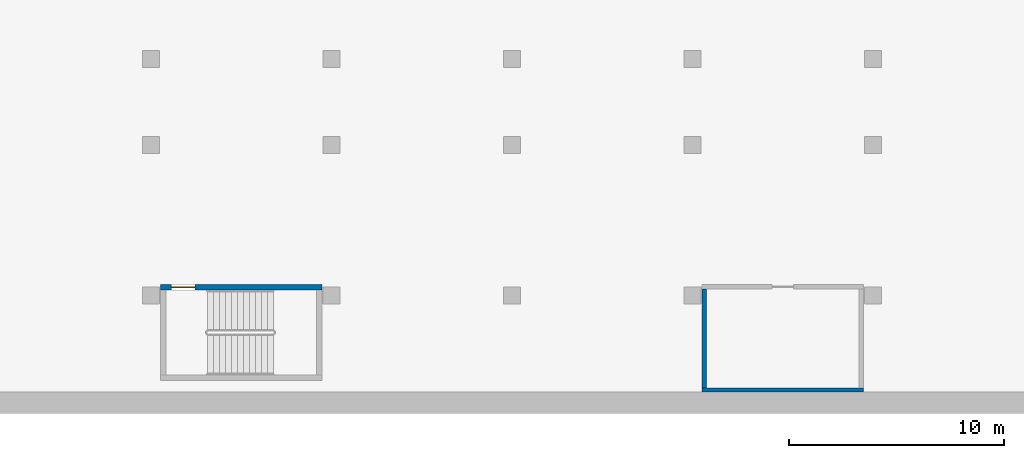
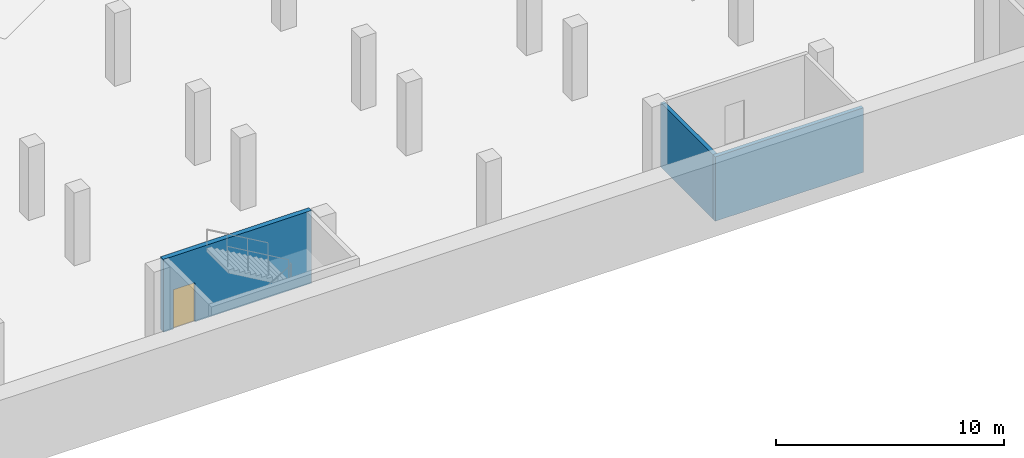
# One storey, part 3 of 25: 3 walls, 1 door, 1 opening.
"""IFC4 building model written with IfcOpenShell, lengths in metres."""

from ifc_helpers import new_model, si_unit, direction, frame, frame_2d, origin, place, context, subcontext, project, spatial, rectangle, extrude, material, layer, layer_set, type_object, element, fill, save


model = new_model("IFC4")

# Units and contexts
model_context = context("Model", 3, precision=1e-05, world=origin(), true_north=direction((0.0, 1.0)))
body_context = subcontext(model_context, "Body", "Model", "MODEL_VIEW")
ifc_project = project(units=[si_unit("LENGTHUNIT", "METRE"), si_unit("AREAUNIT", "SQUARE_METRE"), si_unit("VOLUMEUNIT", "CUBIC_METRE"), si_unit("PLANEANGLEUNIT", "RADIAN"), si_unit("MASSUNIT", "GRAM", prefix="KILO")], contexts=[model_context])

# Site, building, storey
site_placement = place(None, origin())
site = spatial("IfcSite", under=ifc_project, at=site_placement, CompositionType="ELEMENT")
building_placement = place(site_placement, origin())
building = spatial("IfcBuilding", under=site, at=building_placement, Name="Verdalira Terraces Hotel", CompositionType="ELEMENT")
storey_placement = place(building_placement, frame((0.0, 0.0, -7.800049)))
storey = spatial("IfcBuildingStorey", under=building, at=storey_placement, Name="B2", CompositionType="ELEMENT", Elevation=-7.800048828125)

# Walls
ifc_material_1 = material(Name="Concrete C40", Category="concrete")
ifc_layer_1 = layer(ifc_material_1, 0.199951171875)
ifc_layer_set_1 = layer_set([ifc_layer_1], Name="Service room wall 200 C40")
wall_type_1 = type_object("IfcWallType", Name="Service room wall 200 C40", PredefinedType="PARTITIONING", material=ifc_layer_set_1)
wall_1_placement = place(storey_placement, frame((-7.949951, -52.899902, 0.0), z_axis=(0.0, 0.0, 1.0), x_axis=(1.0, 0.0, 0.0)))
element("IfcWall", 1, at=wall_1_placement, inside=storey, type_object=wall_type_1, Name="Smoke extract fan room wall", PredefinedType="PARTITIONING", context=body_context, shape_type="SweptSolid", body=[
    extrude(rectangle(XDim=7.5, YDim=0.199951, at=frame_2d((3.75, 0.0))), origin(), (0.0, 0.0, 1.0), 3.449951),
])
wall_2_placement = place(storey_placement, frame((-7.850098, -52.800049, 0.0), z_axis=(0.0, 0.0, 1.0), x_axis=(0.0, 1.0, 0.0)))
element("IfcWall", 2, at=wall_2_placement, inside=storey, type_object=wall_type_1, Name="Smoke extract fan room wall", PredefinedType="PARTITIONING", context=body_context, shape_type="SweptSolid", body=[
    extrude(rectangle(XDim=4.600098, YDim=0.199951, at=frame_2d((2.300049, 0.0))), origin(), (0.0, 0.0, 1.0), 3.449951),
])

# Wall, opening, door
ifc_material_2 = material(Name="Concrete C40", Category="concrete")
ifc_layer_2 = layer(ifc_material_2, 0.25)
ifc_layer_set_2 = layer_set([ifc_layer_2], Name="Stair enclosure wall 250 C40")
wall_type_2 = type_object("IfcWallType", Name="Stair enclosure wall 250 C40", PredefinedType="SOLIDWALL", material=ifc_layer_set_2)
wall_3_placement = place(storey_placement, frame((-33.149902, -48.125, 0.0), z_axis=(0.0, 0.0, 1.0), x_axis=(1.0, 0.0, 0.0)))
wall_3 = element("IfcWall", 3, at=wall_3_placement, inside=storey, type_object=wall_type_2, Name="Stair BS1 enclosure wall", PredefinedType="SOLIDWALL", context=body_context, shape_type="SweptSolid", body=[
    extrude(rectangle(XDim=7.5, YDim=0.25, at=frame_2d((3.75, 0.0))), origin(), (0.0, 0.0, 1.0), 3.900146),
])
opening_placement = place(wall_3_placement, frame((0.5, 0.0, 0.0)))
opening = element("IfcOpeningElement", 4, at=opening_placement, cuts=wall_3, Name="Opening B2-D601", PredefinedType="OPENING", context=body_context, shape_type="SweptSolid", body=[
    extrude(rectangle(XDim=1.100098, YDim=2.100098, at=frame_2d((0.550049, 1.050049))), frame((0.0, 0.13501, 0.0), z_axis=(0.0, -1.0, 0.0), x_axis=(1.0, 0.0, 0.0)), (0.0, 0.0, 1.0), 0.27002),
])
ifc_material_3 = material(Name="Steel fire door", Category="steel")
door_type = type_object("IfcDoorType", Name="Stair door 1100 x 2100", OperationType="SINGLE_SWING_LEFT", PredefinedType="DOOR", material=ifc_material_3)
door_placement = place(opening_placement, origin())
door = element("IfcDoor", 5, at=door_placement, inside=storey, type_object=door_type, Name="Stair BS1 door", OperationType="SINGLE_SWING_RIGHT", OverallHeight=2.10009765625, OverallWidth=1.10009765625, PredefinedType="DOOR", context=body_context, shape_type="SweptSolid", body=[
    extrude(rectangle(XDim=1.100098, YDim=2.100098, at=frame_2d((0.550049, 1.050049))), frame((0.0, 0.024902, 0.0), z_axis=(0.0, -1.0, 0.0), x_axis=(1.0, 0.0, 0.0)), (0.0, 0.0, 1.0), 0.050049),
])
fill(opening, door)

save(model, "model.ifc")
